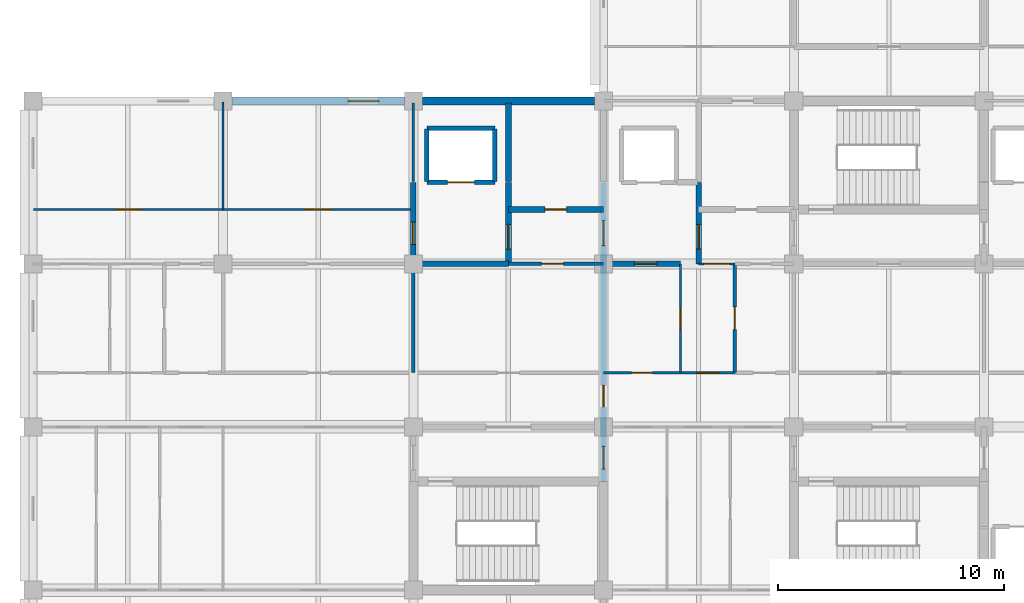
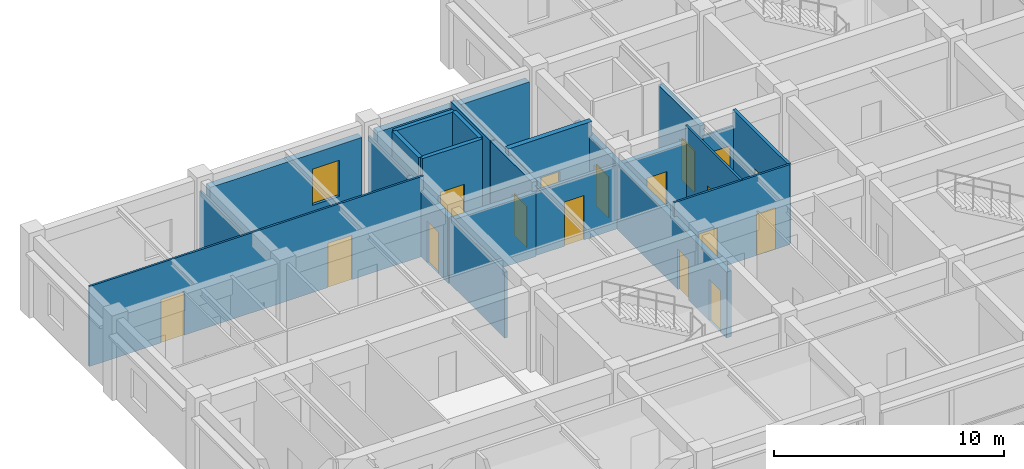
# One storey, part 16 of 30: 23 walls, 17 doors, 1 window, 18 openings.
"""IFC4 building model written with IfcOpenShell, lengths in metres."""

from ifc_helpers import new_model, si_unit, direction, frame, frame_2d, origin, place, context, subcontext, project, spatial, rectangle, extrude, material, layer, layer_set, type_object, element, fill, save


model = new_model("IFC4")

# Units and contexts
model_context = context("Model", 3, precision=1e-05, world=origin(), true_north=direction((0.0, 1.0)))
body_context = subcontext(model_context, "Body", "Model", "MODEL_VIEW")
ifc_project = project(units=[si_unit("LENGTHUNIT", "METRE"), si_unit("AREAUNIT", "SQUARE_METRE"), si_unit("VOLUMEUNIT", "CUBIC_METRE"), si_unit("PLANEANGLEUNIT", "RADIAN"), si_unit("MASSUNIT", "GRAM", prefix="KILO")], contexts=[model_context])

# Site, building, storey
site_placement = place(None, origin())
site = spatial("IfcSite", under=ifc_project, at=site_placement, CompositionType="ELEMENT")
building_placement = place(site_placement, origin())
building = spatial("IfcBuilding", under=site, at=building_placement, Name="Chengyuan Square Courthouse", CompositionType="ELEMENT")
storey_placement = place(building_placement, frame((0.0, 0.0, 26.10009765625)))
storey = spatial("IfcBuildingStorey", under=building, at=storey_placement, Name="L06", CompositionType="ELEMENT", Elevation=26.10009765625)

# Wall, opening, window
ifc_material_1 = material(Name="Concrete C40", Category="concrete")
ifc_layer_1 = layer(ifc_material_1, 0.35009765625)
ifc_layer_set_1 = layer_set([ifc_layer_1], Name="Concrete C40")
wall_type_1 = type_object("IfcWallType", Name="WL-EW2", PredefinedType="STANDARD", material=ifc_layer_set_1)
wall_1_placement = place(storey_placement, frame((33.9951171875, 108.0, 0.0), z_axis=(0.0, 0.0, 1.0), x_axis=(1.0, 0.0, 0.0)))
wall_1 = element("IfcWall", 1, at=wall_1_placement, inside=storey, type_object=wall_type_1, Name="Exterior Wall WL-L06-E362", PredefinedType="STANDARD", context=body_context, shape_type="SweptSolid", body=[
    extrude(rectangle(XDim=7.60986328125, YDim=0.35009765625, at=frame_2d((3.804931640625, 0.0))), origin(), (0.0, 0.0, 1.0), 3.58984375),
])
opening_1_placement = place(wall_1_placement, frame((5.1298828125, 0.0, 0.85009765625)))
opening_1 = element("IfcOpeningElement", 2, at=opening_1_placement, cuts=wall_1, Name="Opening WN-128", PredefinedType="OPENING", context=body_context, shape_type="SweptSolid", body=[
    extrude(rectangle(XDim=1.35009765625, YDim=1.919921875, at=frame_2d((0.675048828125, 0.9599609375))), frame((0.0, 0.18701171875, 0.0), z_axis=(0.0, -1.0, 0.0), x_axis=(1.0, 0.0, 0.0)), (0.0, 0.0, 1.0), 0.3740234375),
])
ifc_material_2 = material(Name="Thermally Broken Aluminium Triple Low-E Window", Category="aluminium")
window_type = type_object("IfcWindowType", Name="WT-23", PartitioningType="SINGLE_PANEL", PredefinedType="WINDOW", material=ifc_material_2)
window_placement = place(opening_1_placement, origin())
window = element("IfcWindow", 3, at=window_placement, inside=storey, type_object=window_type, Name="Facade Window WN-128", OverallHeight=1.919921875, OverallWidth=1.35009765625, PartitioningType="SINGLE_PANEL", PredefinedType="WINDOW", context=body_context, shape_type="SweptSolid", body=[
    extrude(rectangle(XDim=1.35009765625, YDim=1.919921875, at=frame_2d((0.675048828125, 0.9599609375))), frame((0.0, 0.030029296875, 0.0), z_axis=(0.0, -1.0, 0.0), x_axis=(1.0, 0.0, 0.0)), (0.0, 0.0, 1.0), 0.06005859375),
])
fill(opening_1, window)

# Walls
wall_2_placement = place(storey_placement, frame((42.39501953125, 108.0, 0.0), z_axis=(0.0, 0.0, 1.0), x_axis=(1.0, 0.0, 0.0)))
element("IfcWall", 4, at=wall_2_placement, inside=storey, type_object=wall_type_1, Name="Exterior Wall WL-L06-E363", PredefinedType="STANDARD", context=body_context, shape_type="SweptSolid", body=[
    extrude(rectangle(XDim=7.60986328125, YDim=0.35009765625, at=frame_2d((3.804931640625, 0.0))), origin(), (0.0, 0.0, 1.0), 3.58984375),
])
ifc_layer_2 = layer(ifc_material_1, 0.25)
ifc_layer_set_2 = layer_set([ifc_layer_2], Name="Concrete C40")
wall_type_2 = type_object("IfcWallType", Name="WL-FW1", PredefinedType="STANDARD", material=ifc_layer_set_2)
wall_3_placement = place(storey_placement, frame((42.0, 100.800048828125, 0.0), z_axis=(0.0, 0.0, 1.0), x_axis=(1.0, 0.0, 0.0)))
element("IfcWall", 5, at=wall_3_placement, inside=storey, type_object=wall_type_2, Name="Interior Wall WL-L06-I2412", PredefinedType="STANDARD", context=body_context, shape_type="SweptSolid", body=[
    extrude(rectangle(XDim=4.199951171875, YDim=0.25, at=frame_2d((2.10009765625, 0.0))), origin(), (0.0, 0.0, 1.0), 3.389892578125),
])

# Wall, opening, door
wall_4_placement = place(storey_placement, frame((50.39990234375, 100.800048828125, 0.0), z_axis=(0.0, 0.0, 1.0), x_axis=(1.0, 0.0, 0.0)))
wall_4 = element("IfcWall", 6, at=wall_4_placement, inside=storey, type_object=wall_type_2, Name="Interior Wall WL-L06-I2414", PredefinedType="STANDARD", context=body_context, shape_type="SweptSolid", body=[
    extrude(rectangle(XDim=3.400146484375, YDim=0.25, at=frame_2d((1.7001953125, 0.0))), origin(), (0.0, 0.0, 1.0), 3.389892578125),
])
opening_2_placement = place(wall_4_placement, frame((1.360107421875, 0.0, 0.0)))
opening_2 = element("IfcOpeningElement", 7, at=opening_2_placement, cuts=wall_4, Name="Opening DR-2167", PredefinedType="OPENING", context=body_context, shape_type="SweptSolid", body=[
    extrude(rectangle(XDim=1.0, YDim=2.199951171875, at=frame_2d((0.5, 1.10009765625))), frame((0.0, 0.136962890625, 0.0), z_axis=(0.0, -1.0, 0.0), x_axis=(1.0, 0.0, 0.0)), (0.0, 0.0, 1.0), 0.27392578125),
])
ifc_material_3 = material(Name="Steel Q235B Fire Door", Category="steel")
door_type_1 = type_object("IfcDoorType", Name="DT-11", OperationType="NOTDEFINED", PredefinedType="DOOR", material=ifc_material_3)
door_1_placement = place(opening_2_placement, origin())
door_1 = element("IfcDoor", 8, at=door_1_placement, inside=storey, type_object=door_type_1, Name="Interior Door DR-2167", OperationType="SINGLE_SWING_RIGHT", OverallHeight=2.199951171875, OverallWidth=1.0, PredefinedType="DOOR", context=body_context, shape_type="SweptSolid", body=[
    extrude(rectangle(XDim=1.0, YDim=2.199951171875, at=frame_2d((0.5, 1.10009765625))), frame((0.0, 0.02490234375, 0.0), z_axis=(0.0, -1.0, 0.0), x_axis=(1.0, 0.0, 0.0)), (0.0, 0.0, 1.0), 0.050048828125),
])
fill(opening_2, door_1)

wall_5_placement = place(storey_placement, frame((46.199951171875, 103.199951171875, 0.0), z_axis=(0.0, 0.0, 1.0), x_axis=(1.0, 0.0, 0.0)))
wall_5 = element("IfcWall", 9, at=wall_5_placement, inside=storey, type_object=wall_type_2, Name="Interior Wall WL-L06-I2430", PredefinedType="STANDARD", context=body_context, shape_type="SweptSolid", body=[
    extrude(rectangle(XDim=4.199951171875, YDim=0.25, at=frame_2d((2.10009765625, 0.0))), origin(), (0.0, 0.0, 1.0), 4.239990234375),
])
opening_3_placement = place(wall_5_placement, frame((1.625, 0.0, 0.0)))
opening_3 = element("IfcOpeningElement", 10, at=opening_3_placement, cuts=wall_5, Name="Opening DR-2147", PredefinedType="OPENING", context=body_context, shape_type="SweptSolid", body=[
    extrude(rectangle(XDim=0.949951171875, YDim=2.14990234375, at=frame_2d((0.47509765625, 1.074951171875))), frame((0.0, 0.136962890625, 0.0), z_axis=(0.0, -1.0, 0.0), x_axis=(1.0, 0.0, 0.0)), (0.0, 0.0, 1.0), 0.27392578125),
])
door_type_2 = type_object("IfcDoorType", Name="DT-12", OperationType="NOTDEFINED", PredefinedType="DOOR", material=ifc_material_3)
door_2_placement = place(opening_3_placement, origin())
door_2 = element("IfcDoor", 11, at=door_2_placement, inside=storey, type_object=door_type_2, Name="Interior Door DR-2147", OperationType="SINGLE_SWING_LEFT", OverallHeight=2.14990234375, OverallWidth=0.949951171875, PredefinedType="DOOR", context=body_context, shape_type="SweptSolid", body=[
    extrude(rectangle(XDim=0.949951171875, YDim=2.14990234375, at=frame_2d((0.47509765625, 1.074951171875))), frame((0.0, 0.02490234375, 0.0), z_axis=(0.0, -1.0, 0.0), x_axis=(1.0, 0.0, 0.0)), (0.0, 0.0, 1.0), 0.050048828125),
])
fill(opening_3, door_2)

wall_6_placement = place(storey_placement, frame((42.0, 100.800048828125, 0.0), z_axis=(0.0, 0.0, 1.0), x_axis=(0.0, 1.0, 0.0)))
wall_6 = element("IfcWall", 12, at=wall_6_placement, inside=storey, type_object=wall_type_2, Name="Interior Wall WL-L06-I2491", PredefinedType="STANDARD", context=body_context, shape_type="SweptSolid", body=[
    extrude(rectangle(XDim=3.599853515625, YDim=0.25, at=frame_2d((1.7998046875, 0.0))), origin(), (0.0, 0.0, 1.0), 3.489990234375),
])
opening_4_placement = place(wall_6_placement, frame((0.860107421875, 0.0, 0.0)))
opening_4 = element("IfcOpeningElement", 13, at=opening_4_placement, cuts=wall_6, Name="Opening DR-2146", PredefinedType="OPENING", context=body_context, shape_type="SweptSolid", body=[
    extrude(rectangle(XDim=1.0, YDim=2.199951171875, at=frame_2d((0.5, 1.10009765625))), frame((0.0, 0.136962890625, 0.0), z_axis=(0.0, -1.0, 0.0), x_axis=(1.0, 0.0, 0.0)), (0.0, 0.0, 1.0), 0.27392578125),
])
door_3_placement = place(opening_4_placement, origin())
door_3 = element("IfcDoor", 14, at=door_3_placement, inside=storey, type_object=door_type_1, Name="Interior Door DR-2146", OperationType="SINGLE_SWING_RIGHT", OverallHeight=2.199951171875, OverallWidth=1.0, PredefinedType="DOOR", context=body_context, shape_type="SweptSolid", body=[
    extrude(rectangle(XDim=1.0, YDim=2.199951171875, at=frame_2d((0.5, 1.10009765625))), frame((0.0, 0.02490234375, 0.0), z_axis=(0.0, -1.0, 0.0), x_axis=(1.0, 0.0, 0.0)), (0.0, 0.0, 1.0), 0.050048828125),
])
fill(opening_4, door_3)

wall_7_placement = place(storey_placement, frame((46.199951171875, 100.800048828125, 0.0), z_axis=(0.0, 0.0, 1.0), x_axis=(0.0, 1.0, 0.0)))
wall_7 = element("IfcWall", 15, at=wall_7_placement, inside=storey, type_object=wall_type_2, Name="Interior Wall WL-L06-I2495", PredefinedType="STANDARD", context=body_context, shape_type="SweptSolid", body=[
    extrude(rectangle(XDim=3.599853515625, YDim=0.25, at=frame_2d((1.7998046875, 0.0))), origin(), (0.0, 0.0, 1.0), 3.889892578125),
])
opening_5_placement = place(wall_7_placement, frame((0.64990234375, 0.0, 0.0)))
opening_5 = element("IfcOpeningElement", 16, at=opening_5_placement, cuts=wall_7, Name="Opening DR-2145", PredefinedType="OPENING", context=body_context, shape_type="SweptSolid", body=[
    extrude(rectangle(XDim=1.10009765625, YDim=2.199951171875, at=frame_2d((0.550048828125, 1.10009765625))), frame((0.0, 0.136962890625, 0.0), z_axis=(0.0, -1.0, 0.0), x_axis=(1.0, 0.0, 0.0)), (0.0, 0.0, 1.0), 0.27392578125),
])
door_type_3 = type_object("IfcDoorType", Name="DT-10", OperationType="NOTDEFINED", PredefinedType="DOOR", material=ifc_material_3)
door_4_placement = place(opening_5_placement, origin())
door_4 = element("IfcDoor", 17, at=door_4_placement, inside=storey, type_object=door_type_3, Name="Interior Door DR-2145", OperationType="SINGLE_SWING_LEFT", OverallHeight=2.199951171875, OverallWidth=1.10009765625, PredefinedType="DOOR", context=body_context, shape_type="SweptSolid", body=[
    extrude(rectangle(XDim=1.10009765625, YDim=2.199951171875, at=frame_2d((0.550048828125, 1.10009765625))), frame((0.0, 0.02490234375, 0.0), z_axis=(0.0, -1.0, 0.0), x_axis=(1.0, 0.0, 0.0)), (0.0, 0.0, 1.0), 0.050048828125),
])
fill(opening_5, door_4)

# Wall
wall_8_placement = place(storey_placement, frame((46.199951171875, 104.449951171875, 0.0), z_axis=(0.0, 0.0, 1.0), x_axis=(0.0, 1.0, 0.0)))
element("IfcWall", 18, at=wall_8_placement, inside=storey, type_object=wall_type_2, Name="Interior Wall WL-L06-I2496", PredefinedType="STANDARD", context=body_context, shape_type="SweptSolid", body=[
    extrude(rectangle(XDim=3.4599609375, YDim=0.25, at=frame_2d((1.72998046875, 0.0))), origin(), (0.0, 0.0, 1.0), 3.889892578125),
])

# Wall, openings, doors
wall_9_placement = place(storey_placement, frame((50.39990234375, 91.199951171875, 0.0), z_axis=(0.0, 0.0, 1.0), x_axis=(0.0, 1.0, 0.0)))
wall_9 = element("IfcWall", 19, at=wall_9_placement, inside=storey, type_object=wall_type_2, Name="Interior Wall WL-L06-I2499", PredefinedType="STANDARD", context=body_context, shape_type="SweptSolid", body=[
    extrude(rectangle(XDim=13.199951171875, YDim=0.25, at=frame_2d((6.60009765625, 0.0))), origin(), (0.0, 0.0, 1.0), 3.489990234375),
])
opening_6_placement = place(wall_9_placement, frame((0.5400390625, 0.0, 0.0)))
opening_6 = element("IfcOpeningElement", 20, at=opening_6_placement, cuts=wall_9, Name="Opening DR-2131", PredefinedType="OPENING", context=body_context, shape_type="SweptSolid", body=[
    extrude(rectangle(XDim=1.0, YDim=2.199951171875, at=frame_2d((0.5, 1.10009765625))), frame((0.0, 0.136962890625, 0.0), z_axis=(0.0, -1.0, 0.0), x_axis=(1.0, 0.0, 0.0)), (0.0, 0.0, 1.0), 0.27392578125),
])
opening_7_placement = place(wall_9_placement, frame((10.409912109375, 0.0, 0.0)))
opening_7 = element("IfcOpeningElement", 21, at=opening_7_placement, cuts=wall_9, Name="Opening DR-2148", PredefinedType="OPENING", context=body_context, shape_type="SweptSolid", body=[
    extrude(rectangle(XDim=1.10009765625, YDim=2.199951171875, at=frame_2d((0.550048828125, 1.10009765625))), frame((0.0, 0.136962890625, 0.0), z_axis=(0.0, -1.0, 0.0), x_axis=(1.0, 0.0, 0.0)), (0.0, 0.0, 1.0), 0.27392578125),
])
opening_8_placement = place(wall_9_placement, frame((3.284912109375, 0.0, 0.0)))
opening_8 = element("IfcOpeningElement", 22, at=opening_8_placement, cuts=wall_9, Name="Opening DR-2195", PredefinedType="OPENING", context=body_context, shape_type="SweptSolid", body=[
    extrude(rectangle(XDim=0.949951171875, YDim=2.14990234375, at=frame_2d((0.47509765625, 1.074951171875))), frame((0.0, 0.136962890625, 0.0), z_axis=(0.0, -1.0, 0.0), x_axis=(1.0, 0.0, 0.0)), (0.0, 0.0, 1.0), 0.27392578125),
])
door_5_placement = place(opening_7_placement, origin())
door_5 = element("IfcDoor", 23, at=door_5_placement, inside=storey, type_object=door_type_3, Name="Interior Door DR-2148", OperationType="SINGLE_SWING_RIGHT", OverallHeight=2.199951171875, OverallWidth=1.10009765625, PredefinedType="DOOR", context=body_context, shape_type="SweptSolid", body=[
    extrude(rectangle(XDim=1.10009765625, YDim=2.199951171875, at=frame_2d((0.550048828125, 1.10009765625))), frame((0.0, 0.02490234375, 0.0), z_axis=(0.0, -1.0, 0.0), x_axis=(1.0, 0.0, 0.0)), (0.0, 0.0, 1.0), 0.050048828125),
])
fill(opening_7, door_5)
door_6_placement = place(opening_6_placement, origin())
door_6 = element("IfcDoor", 24, at=door_6_placement, inside=storey, type_object=door_type_1, Name="Interior Door DR-2131", OperationType="SINGLE_SWING_RIGHT", OverallHeight=2.199951171875, OverallWidth=1.0, PredefinedType="DOOR", context=body_context, shape_type="SweptSolid", body=[
    extrude(rectangle(XDim=1.0, YDim=2.199951171875, at=frame_2d((0.5, 1.10009765625))), frame((0.0, 0.02490234375, 0.0), z_axis=(0.0, -1.0, 0.0), x_axis=(1.0, 0.0, 0.0)), (0.0, 0.0, 1.0), 0.050048828125),
])
fill(opening_6, door_6)
door_7_placement = place(opening_8_placement, origin())
door_7 = element("IfcDoor", 25, at=door_7_placement, inside=storey, type_object=door_type_2, Name="Interior Door DR-2195", OperationType="SINGLE_SWING_LEFT", OverallHeight=2.14990234375, OverallWidth=0.949951171875, PredefinedType="DOOR", context=body_context, shape_type="SweptSolid", body=[
    extrude(rectangle(XDim=0.949951171875, YDim=2.14990234375, at=frame_2d((0.47509765625, 1.074951171875))), frame((0.0, 0.02490234375, 0.0), z_axis=(0.0, -1.0, 0.0), x_axis=(1.0, 0.0, 0.0)), (0.0, 0.0, 1.0), 0.050048828125),
])
fill(opening_8, door_7)

# Wall, opening, door
wall_10_placement = place(storey_placement, frame((54.60009765625, 100.800048828125, 0.0), z_axis=(0.0, 0.0, 1.0), x_axis=(0.0, 1.0, 0.0)))
wall_10 = element("IfcWall", 26, at=wall_10_placement, inside=storey, type_object=wall_type_2, Name="Interior Wall WL-L06-I2505", PredefinedType="STANDARD", context=body_context, shape_type="SweptSolid", body=[
    extrude(rectangle(XDim=3.599853515625, YDim=0.25, at=frame_2d((1.7998046875, 0.0))), origin(), (0.0, 0.0, 1.0), 3.93994140625),
])
opening_9_placement = place(wall_10_placement, frame((0.64990234375, 0.0, 0.0)))
opening_9 = element("IfcOpeningElement", 27, at=opening_9_placement, cuts=wall_10, Name="Opening DR-2166", PredefinedType="OPENING", context=body_context, shape_type="SweptSolid", body=[
    extrude(rectangle(XDim=1.10009765625, YDim=2.199951171875, at=frame_2d((0.550048828125, 1.10009765625))), frame((0.0, 0.136962890625, 0.0), z_axis=(0.0, -1.0, 0.0), x_axis=(1.0, 0.0, 0.0)), (0.0, 0.0, 1.0), 0.27392578125),
])
door_8_placement = place(opening_9_placement, origin())
door_8 = element("IfcDoor", 28, at=door_8_placement, inside=storey, type_object=door_type_3, Name="Interior Door DR-2166", OperationType="SINGLE_SWING_LEFT", OverallHeight=2.199951171875, OverallWidth=1.10009765625, PredefinedType="DOOR", context=body_context, shape_type="SweptSolid", body=[
    extrude(rectangle(XDim=1.10009765625, YDim=2.199951171875, at=frame_2d((0.550048828125, 1.10009765625))), frame((0.0, 0.02490234375, 0.0), z_axis=(0.0, -1.0, 0.0), x_axis=(1.0, 0.0, 0.0)), (0.0, 0.0, 1.0), 0.050048828125),
])
fill(opening_9, door_8)

ifc_material_4 = material(Name="Deliberation Room Sound-Insulated Partition")
ifc_layer_3 = layer(ifc_material_4, 0.14990234375)
ifc_layer_set_3 = layer_set([ifc_layer_3], Name="Deliberation Room Sound-Insulated Partition")
wall_type_3 = type_object("IfcWallType", Name="WL-PT3", PredefinedType="STANDARD", material=ifc_layer_set_3)
wall_11_placement = place(storey_placement, frame((46.199951171875, 100.800048828125, 0.0), z_axis=(0.0, 0.0, 1.0), x_axis=(1.0, 0.0, 0.0)))
wall_11 = element("IfcWall", 29, at=wall_11_placement, inside=storey, type_object=wall_type_3, Name="Interior Wall WL-L06-I2413", PredefinedType="STANDARD", context=body_context, shape_type="SweptSolid", body=[
    extrude(rectangle(XDim=4.199951171875, YDim=0.14990234375, at=frame_2d((2.10009765625, 0.0))), origin(), (0.0, 0.0, 1.0), 3.389892578125),
])
opening_10_placement = place(wall_11_placement, frame((1.449951171875, 0.0, 0.0)))
opening_10 = element("IfcOpeningElement", 30, at=opening_10_placement, cuts=wall_11, Name="Opening DR-2149", PredefinedType="OPENING", context=body_context, shape_type="SweptSolid", body=[
    extrude(rectangle(XDim=0.97998046875, YDim=2.35009765625, at=frame_2d((0.489990234375, 1.175048828125))), frame((0.0, 0.0869140625, 0.0), z_axis=(0.0, -1.0, 0.0), x_axis=(1.0, 0.0, 0.0)), (0.0, 0.0, 1.0), 0.173828125),
])
ifc_material_5 = material(Name="Acoustic Solid-Core Timber Door", Category="wood")
door_type_4 = type_object("IfcDoorType", Name="DT-40", OperationType="NOTDEFINED", PredefinedType="DOOR", material=ifc_material_5)
door_9_placement = place(opening_10_placement, origin())
door_9 = element("IfcDoor", 31, at=door_9_placement, inside=storey, type_object=door_type_4, Name="Interior Door DR-2149", OperationType="SINGLE_SWING_LEFT", OverallHeight=2.35009765625, OverallWidth=0.97998046875, PredefinedType="DOOR", context=body_context, shape_type="SweptSolid", body=[
    extrude(rectangle(XDim=0.97998046875, YDim=2.35009765625, at=frame_2d((0.489990234375, 1.175048828125))), frame((0.0, 0.02490234375, 0.0), z_axis=(0.0, -1.0, 0.0), x_axis=(1.0, 0.0, 0.0)), (0.0, 0.0, 1.0), 0.050048828125),
])
fill(opening_10, door_9)

# Wall
wall_12_placement = place(storey_placement, frame((42.0, 96.0, 0.0), z_axis=(0.0, 0.0, 1.0), x_axis=(0.0, 1.0, 0.0)))
element("IfcWall", 32, at=wall_12_placement, inside=storey, type_object=wall_type_3, Name="Interior Wall WL-L06-I2490", PredefinedType="STANDARD", context=body_context, shape_type="SweptSolid", body=[
    extrude(rectangle(XDim=4.800048828125, YDim=0.14990234375, at=frame_2d((2.39990234375, 0.0))), origin(), (0.0, 0.0, 1.0), 3.489990234375),
])

# Wall, opening, door
wall_13_placement = place(storey_placement, frame((56.199951171875, 96.0, 0.0), z_axis=(0.0, 0.0, 1.0), x_axis=(0.0, 1.0, 0.0)))
wall_13 = element("IfcWall", 33, at=wall_13_placement, inside=storey, type_object=wall_type_3, Name="Interior Wall WL-L06-I2508", PredefinedType="STANDARD", context=body_context, shape_type="SweptSolid", body=[
    extrude(rectangle(XDim=4.800048828125, YDim=0.14990234375, at=frame_2d((2.39990234375, 0.0))), origin(), (0.0, 0.0, 1.0), 4.239990234375),
])
opening_11_placement = place(wall_13_placement, frame((1.89990234375, 0.0, 0.0)))
opening_11 = element("IfcOpeningElement", 34, at=opening_11_placement, cuts=wall_13, Name="Opening DR-2242", PredefinedType="OPENING", context=body_context, shape_type="SweptSolid", body=[
    extrude(rectangle(XDim=1.0, YDim=2.25, at=frame_2d((0.5, 1.125))), frame((0.0, 0.0869140625, 0.0), z_axis=(0.0, -1.0, 0.0), x_axis=(1.0, 0.0, 0.0)), (0.0, 0.0, 1.0), 0.173828125),
])
door_type_5 = type_object("IfcDoorType", Name="DT-31", OperationType="NOTDEFINED", PredefinedType="DOOR", material=ifc_material_5)
door_10_placement = place(opening_11_placement, origin())
door_10 = element("IfcDoor", 35, at=door_10_placement, inside=storey, type_object=door_type_5, Name="Interior Door DR-2242", OperationType="SINGLE_SWING_RIGHT", OverallHeight=2.25, OverallWidth=1.0, PredefinedType="DOOR", context=body_context, shape_type="SweptSolid", body=[
    extrude(rectangle(XDim=1.0, YDim=2.25, at=frame_2d((0.5, 1.125))), frame((0.0, 0.02490234375, 0.0), z_axis=(0.0, -1.0, 0.0), x_axis=(1.0, 0.0, 0.0)), (0.0, 0.0, 1.0), 0.050048828125),
])
fill(opening_11, door_10)

# Wall, openings, doors
ifc_material_6 = material(Name="Gypsum Plasterboard Acoustic Stud Partition")
ifc_layer_4 = layer(ifc_material_6, 0.10009765625)
ifc_layer_set_4 = layer_set([ifc_layer_4], Name="Gypsum Plasterboard Acoustic Stud Partition")
wall_type_4 = type_object("IfcWallType", Name="WL-PT6", PredefinedType="STANDARD", material=ifc_layer_set_4)
wall_14_placement = place(storey_placement, frame((50.39990234375, 96.0, 0.0), z_axis=(0.0, 0.0, 1.0), x_axis=(1.0, 0.0, 0.0)))
wall_14 = element("IfcWall", 36, at=wall_14_placement, inside=storey, type_object=wall_type_4, Name="Interior Wall WL-L06-I2402", PredefinedType="STANDARD", context=body_context, shape_type="SweptSolid", body=[
    extrude(rectangle(XDim=5.800048828125, YDim=0.10009765625, at=frame_2d((2.89990234375, 0.0))), origin(), (0.0, 0.0, 1.0), 4.239990234375),
])
opening_12_placement = place(wall_14_placement, frame((1.239990234375, 0.0, 0.0)))
opening_12 = element("IfcOpeningElement", 37, at=opening_12_placement, cuts=wall_14, Name="Opening DR-2206", PredefinedType="OPENING", context=body_context, shape_type="SweptSolid", body=[
    extrude(rectangle(XDim=0.919921875, YDim=2.14990234375, at=frame_2d((0.4599609375, 1.074951171875))), frame((0.0, 0.06201171875, 0.0), z_axis=(0.0, -1.0, 0.0), x_axis=(1.0, 0.0, 0.0)), (0.0, 0.0, 1.0), 0.1240234375),
])
opening_13_placement = place(wall_14_placement, frame((4.1201171875, 0.0, 0.0)))
opening_13 = element("IfcOpeningElement", 38, at=opening_13_placement, cuts=wall_14, Name="Opening DR-2207", PredefinedType="OPENING", context=body_context, shape_type="SweptSolid", body=[
    extrude(rectangle(XDim=0.9599609375, YDim=2.199951171875, at=frame_2d((0.47998046875, 1.10009765625))), frame((0.0, 0.06201171875, 0.0), z_axis=(0.0, -1.0, 0.0), x_axis=(1.0, 0.0, 0.0)), (0.0, 0.0, 1.0), 0.1240234375),
])
door_type_6 = type_object("IfcDoorType", Name="DT-29", OperationType="NOTDEFINED", PredefinedType="DOOR", material=ifc_material_5)
door_11_placement = place(opening_12_placement, origin())
door_11 = element("IfcDoor", 39, at=door_11_placement, inside=storey, type_object=door_type_6, Name="Interior Door DR-2206", OperationType="SINGLE_SWING_LEFT", OverallHeight=2.14990234375, OverallWidth=0.919921875, PredefinedType="DOOR", context=body_context, shape_type="SweptSolid", body=[
    extrude(rectangle(XDim=0.919921875, YDim=2.14990234375, at=frame_2d((0.4599609375, 1.074951171875))), frame((0.0, 0.02490234375, 0.0), z_axis=(0.0, -1.0, 0.0), x_axis=(1.0, 0.0, 0.0)), (0.0, 0.0, 1.0), 0.050048828125),
])
fill(opening_12, door_11)
door_type_7 = type_object("IfcDoorType", Name="DT-30", OperationType="NOTDEFINED", PredefinedType="DOOR", material=ifc_material_5)
door_12_placement = place(opening_13_placement, origin())
door_12 = element("IfcDoor", 40, at=door_12_placement, inside=storey, type_object=door_type_7, Name="Interior Door DR-2207", OperationType="SINGLE_SWING_RIGHT", OverallHeight=2.199951171875, OverallWidth=0.9599609375, PredefinedType="DOOR", context=body_context, shape_type="SweptSolid", body=[
    extrude(rectangle(XDim=0.9599609375, YDim=2.199951171875, at=frame_2d((0.47998046875, 1.10009765625))), frame((0.0, 0.02490234375, 0.0), z_axis=(0.0, -1.0, 0.0), x_axis=(1.0, 0.0, 0.0)), (0.0, 0.0, 1.0), 0.050048828125),
])
fill(opening_13, door_12)

# Wall, opening, door
wall_15_placement = place(storey_placement, frame((54.60009765625, 100.800048828125, 0.0), z_axis=(0.0, 0.0, 1.0), x_axis=(1.0, 0.0, 0.0)))
wall_15 = element("IfcWall", 41, at=wall_15_placement, inside=storey, type_object=wall_type_4, Name="Interior Wall WL-L06-I2415", PredefinedType="STANDARD", context=body_context, shape_type="SweptSolid", body=[
    extrude(rectangle(XDim=1.599853515625, YDim=0.10009765625, at=frame_2d((0.7998046875, 0.0))), origin(), (0.0, 0.0, 1.0), 3.389892578125),
])
opening_14_placement = place(wall_15_placement, frame((0.22998046875, 0.0, 0.0)))
opening_14 = element("IfcOpeningElement", 42, at=opening_14_placement, cuts=wall_15, Name="Opening DR-2169", PredefinedType="OPENING", context=body_context, shape_type="SweptSolid", body=[
    extrude(rectangle(XDim=1.139892578125, YDim=2.39990234375, at=frame_2d((0.56982421875, 1.199951171875))), frame((0.0, 0.06201171875, 0.0), z_axis=(0.0, -1.0, 0.0), x_axis=(1.0, 0.0, 0.0)), (0.0, 0.0, 1.0), 0.1240234375),
])
door_type_8 = type_object("IfcDoorType", Name="DT-43", OperationType="NOTDEFINED", PredefinedType="DOOR", material=ifc_material_5)
door_13_placement = place(opening_14_placement, origin())
door_13 = element("IfcDoor", 43, at=door_13_placement, inside=storey, type_object=door_type_8, Name="Interior Door DR-2169", OperationType="SINGLE_SWING_RIGHT", OverallHeight=2.39990234375, OverallWidth=1.139892578125, PredefinedType="DOOR", context=body_context, shape_type="SweptSolid", body=[
    extrude(rectangle(XDim=1.139892578125, YDim=2.39990234375, at=frame_2d((0.56982421875, 1.199951171875))), frame((0.0, 0.02490234375, 0.0), z_axis=(0.0, -1.0, 0.0), x_axis=(1.0, 0.0, 0.0)), (0.0, 0.0, 1.0), 0.050048828125),
])
fill(opening_14, door_13)

# Wall, openings, doors
wall_16_placement = place(storey_placement, frame((25.239990234375, 103.199951171875, 0.0), z_axis=(0.0, 0.0, 1.0), x_axis=(1.0, 0.0, 0.0)))
wall_16 = element("IfcWall", 44, at=wall_16_placement, inside=storey, type_object=wall_type_4, Name="Interior Wall WL-L06-I2429", PredefinedType="STANDARD", context=body_context, shape_type="SweptSolid", body=[
    extrude(rectangle(XDim=16.760009765625, YDim=0.10009765625, at=frame_2d((8.3798828125, 0.0))), origin(), (0.0, 0.0, 1.0), 4.239990234375),
])
opening_15_placement = place(wall_16_placement, frame((3.60009765625, 0.0, 0.0)))
opening_15 = element("IfcOpeningElement", 45, at=opening_15_placement, cuts=wall_16, Name="Opening DR-2178", PredefinedType="OPENING", context=body_context, shape_type="SweptSolid", body=[
    extrude(rectangle(XDim=1.159912109375, YDim=2.300048828125, at=frame_2d((0.580078125, 1.14990234375))), frame((0.0, 0.06201171875, 0.0), z_axis=(0.0, -1.0, 0.0), x_axis=(1.0, 0.0, 0.0)), (0.0, 0.0, 1.0), 0.1240234375),
])
opening_16_placement = place(wall_16_placement, frame((11.9599609375, 0.0, 0.0)))
opening_16 = element("IfcOpeningElement", 46, at=opening_16_placement, cuts=wall_16, Name="Opening DR-2179", PredefinedType="OPENING", context=body_context, shape_type="SweptSolid", body=[
    extrude(rectangle(XDim=1.199951171875, YDim=2.35009765625, at=frame_2d((0.60009765625, 1.175048828125))), frame((0.0, 0.06201171875, 0.0), z_axis=(0.0, -1.0, 0.0), x_axis=(1.0, 0.0, 0.0)), (0.0, 0.0, 1.0), 0.1240234375),
])
door_type_9 = type_object("IfcDoorType", Name="DT-35", OperationType="NOTDEFINED", PredefinedType="DOOR", material=ifc_material_5)
door_14_placement = place(opening_15_placement, origin())
door_14 = element("IfcDoor", 47, at=door_14_placement, inside=storey, type_object=door_type_9, Name="Interior Door DR-2178", OperationType="SINGLE_SWING_LEFT", OverallHeight=2.300048828125, OverallWidth=1.159912109375, PredefinedType="DOOR", context=body_context, shape_type="SweptSolid", body=[
    extrude(rectangle(XDim=1.159912109375, YDim=2.300048828125, at=frame_2d((0.580078125, 1.14990234375))), frame((0.0, 0.02490234375, 0.0), z_axis=(0.0, -1.0, 0.0), x_axis=(1.0, 0.0, 0.0)), (0.0, 0.0, 1.0), 0.050048828125),
])
fill(opening_15, door_14)
door_type_10 = type_object("IfcDoorType", Name="DT-36", OperationType="NOTDEFINED", PredefinedType="DOOR", material=ifc_material_5)
door_15_placement = place(opening_16_placement, origin())
door_15 = element("IfcDoor", 48, at=door_15_placement, inside=storey, type_object=door_type_10, Name="Interior Door DR-2179", OperationType="SINGLE_SWING_RIGHT", OverallHeight=2.35009765625, OverallWidth=1.199951171875, PredefinedType="DOOR", context=body_context, shape_type="SweptSolid", body=[
    extrude(rectangle(XDim=1.199951171875, YDim=2.35009765625, at=frame_2d((0.60009765625, 1.175048828125))), frame((0.0, 0.02490234375, 0.0), z_axis=(0.0, -1.0, 0.0), x_axis=(1.0, 0.0, 0.0)), (0.0, 0.0, 1.0), 0.050048828125),
])
fill(opening_16, door_15)

# Walls
wall_17_placement = place(storey_placement, frame((33.60009765625, 103.199951171875, 0.0), z_axis=(0.0, 0.0, 1.0), x_axis=(0.0, 1.0, 0.0)))
element("IfcWall", 49, at=wall_17_placement, inside=storey, type_object=wall_type_4, Name="Interior Wall WL-L06-I2487", PredefinedType="STANDARD", context=body_context, shape_type="SweptSolid", body=[
    extrude(rectangle(XDim=4.760009765625, YDim=0.10009765625, at=frame_2d((2.3798828125, 0.0))), origin(), (0.0, 0.0, 1.0), 3.489990234375),
])
wall_18_placement = place(storey_placement, frame((42.0, 104.449951171875, 0.0), z_axis=(0.0, 0.0, 1.0), x_axis=(0.0, 1.0, 0.0)))
element("IfcWall", 50, at=wall_18_placement, inside=storey, type_object=wall_type_4, Name="Interior Wall WL-L06-I2492", PredefinedType="STANDARD", context=body_context, shape_type="SweptSolid", body=[
    extrude(rectangle(XDim=3.4599609375, YDim=0.10009765625, at=frame_2d((1.72998046875, 0.0))), origin(), (0.0, 0.0, 1.0), 3.489990234375),
])

# Wall, opening, door
wall_19_placement = place(storey_placement, frame((53.800048828125, 96.0, 0.0), z_axis=(0.0, 0.0, 1.0), x_axis=(0.0, 1.0, 0.0)))
wall_19 = element("IfcWall", 51, at=wall_19_placement, inside=storey, type_object=wall_type_4, Name="Interior Wall WL-L06-I2504", PredefinedType="STANDARD", context=body_context, shape_type="SweptSolid", body=[
    extrude(rectangle(XDim=4.800048828125, YDim=0.10009765625, at=frame_2d((2.39990234375, 0.0))), origin(), (0.0, 0.0, 1.0), 4.239990234375),
])
opening_17_placement = place(wall_19_placement, frame((1.919921875, 0.0, 0.0)))
opening_17 = element("IfcOpeningElement", 52, at=opening_17_placement, cuts=wall_19, Name="Opening DR-2241", PredefinedType="OPENING", context=body_context, shape_type="SweptSolid", body=[
    extrude(rectangle(XDim=0.9599609375, YDim=2.199951171875, at=frame_2d((0.47998046875, 1.10009765625))), frame((0.0, 0.06201171875, 0.0), z_axis=(0.0, -1.0, 0.0), x_axis=(1.0, 0.0, 0.0)), (0.0, 0.0, 1.0), 0.1240234375),
])
door_16_placement = place(opening_17_placement, origin())
door_16 = element("IfcDoor", 53, at=door_16_placement, inside=storey, type_object=door_type_7, Name="Interior Door DR-2241", OperationType="SINGLE_SWING_LEFT", OverallHeight=2.199951171875, OverallWidth=0.9599609375, PredefinedType="DOOR", context=body_context, shape_type="SweptSolid", body=[
    extrude(rectangle(XDim=0.9599609375, YDim=2.199951171875, at=frame_2d((0.47998046875, 1.10009765625))), frame((0.0, 0.02490234375, 0.0), z_axis=(0.0, -1.0, 0.0), x_axis=(1.0, 0.0, 0.0)), (0.0, 0.0, 1.0), 0.050048828125),
])
fill(opening_17, door_16)

ifc_material_7 = material(Name="Reinforced Masonry Shaft Enclosure", Category="masonry")
ifc_layer_5 = layer(ifc_material_7, 0.199951171875)
ifc_layer_set_5 = layer_set([ifc_layer_5], Name="Reinforced Masonry Shaft Enclosure")
wall_type_5 = type_object("IfcWallType", Name="WL-SH1", PredefinedType="STANDARD", material=ifc_layer_set_5)
wall_20_placement = place(storey_placement, frame((42.60009765625, 104.39990234375, 0.0), z_axis=(0.0, 0.0, 1.0), x_axis=(1.0, 0.0, 0.0)))
wall_20 = element("IfcWall", 54, at=wall_20_placement, inside=storey, type_object=wall_type_5, Name="Interior Wall WL-L06-I2439", PredefinedType="STANDARD", context=body_context, shape_type="SweptSolid", body=[
    extrude(rectangle(XDim=3.0, YDim=0.199951171875, at=frame_2d((1.5, 0.0))), origin(), (0.0, 0.0, 1.0), 4.239990234375),
])
opening_18_placement = place(wall_20_placement, frame((0.89990234375, 0.0, 0.0)))
opening_18 = element("IfcOpeningElement", 55, at=opening_18_placement, cuts=wall_20, Name="Opening LD-103", PredefinedType="OPENING", context=body_context, shape_type="SweptSolid", body=[
    extrude(rectangle(XDim=1.199951171875, YDim=2.14990234375, at=frame_2d((0.60009765625, 1.074951171875))), frame((0.0, 0.112060546875, 0.0), z_axis=(0.0, -1.0, 0.0), x_axis=(1.0, 0.0, 0.0)), (0.0, 0.0, 1.0), 0.223876953125),
])
ifc_material_8 = material(Name="Stainless Steel S30408 Lift Landing Door", Category="steel")
door_type_11 = type_object("IfcDoorType", Name="DT-05", OperationType="DOUBLE_DOOR_SLIDING", PredefinedType="DOOR", material=ifc_material_8)
door_17_placement = place(opening_18_placement, origin())
door_17 = element("IfcDoor", 56, at=door_17_placement, inside=storey, type_object=door_type_11, Name="Lift Landing Door LF-F3 L06", OperationType="DOUBLE_DOOR_SLIDING", OverallHeight=2.14990234375, OverallWidth=1.199951171875, PredefinedType="DOOR", context=body_context, shape_type="SweptSolid", body=[
    extrude(rectangle(XDim=1.199951171875, YDim=2.14990234375, at=frame_2d((0.60009765625, 1.074951171875))), frame((0.0, 0.02490234375, 0.0), z_axis=(0.0, -1.0, 0.0), x_axis=(1.0, 0.0, 0.0)), (0.0, 0.0, 1.0), 0.050048828125),
])
fill(opening_18, door_17)

# Walls
wall_21_placement = place(storey_placement, frame((42.60009765625, 106.800048828125, 0.0), z_axis=(0.0, 0.0, 1.0), x_axis=(1.0, 0.0, 0.0)))
element("IfcWall", 57, at=wall_21_placement, inside=storey, type_object=wall_type_5, Name="Interior Wall WL-L06-I2452", PredefinedType="STANDARD", context=body_context, shape_type="SweptSolid", body=[
    extrude(rectangle(XDim=3.0, YDim=0.199951171875, at=frame_2d((1.5, 0.0))), origin(), (0.0, 0.0, 1.0), 4.239990234375),
])
for number, where, z_axis, x_axis, name in (
    (58, (42.60009765625, 104.449951171875, 0.0), (0.0, 0.0, 1.0), (0.0, 1.0, 0.0), "Interior Wall WL-L06-I2493"),
    (59, (45.60009765625, 104.449951171875, 0.0), (0.0, 0.0, 1.0), (0.0, 1.0, 0.0), "Interior Wall WL-L06-I2494"),
):
    element("IfcWall", number, at=place(storey_placement, frame(where, z_axis=z_axis, x_axis=x_axis)), inside=storey, type_object=wall_type_5, Name=name, PredefinedType="STANDARD", context=body_context, shape_type="SweptSolid", body=[
        extrude(rectangle(XDim=2.300048828125, YDim=0.199951171875, at=frame_2d((1.14990234375, 0.0))), origin(), (0.0, 0.0, 1.0), 4.239990234375),
    ])

save(model, "model.ifc")
